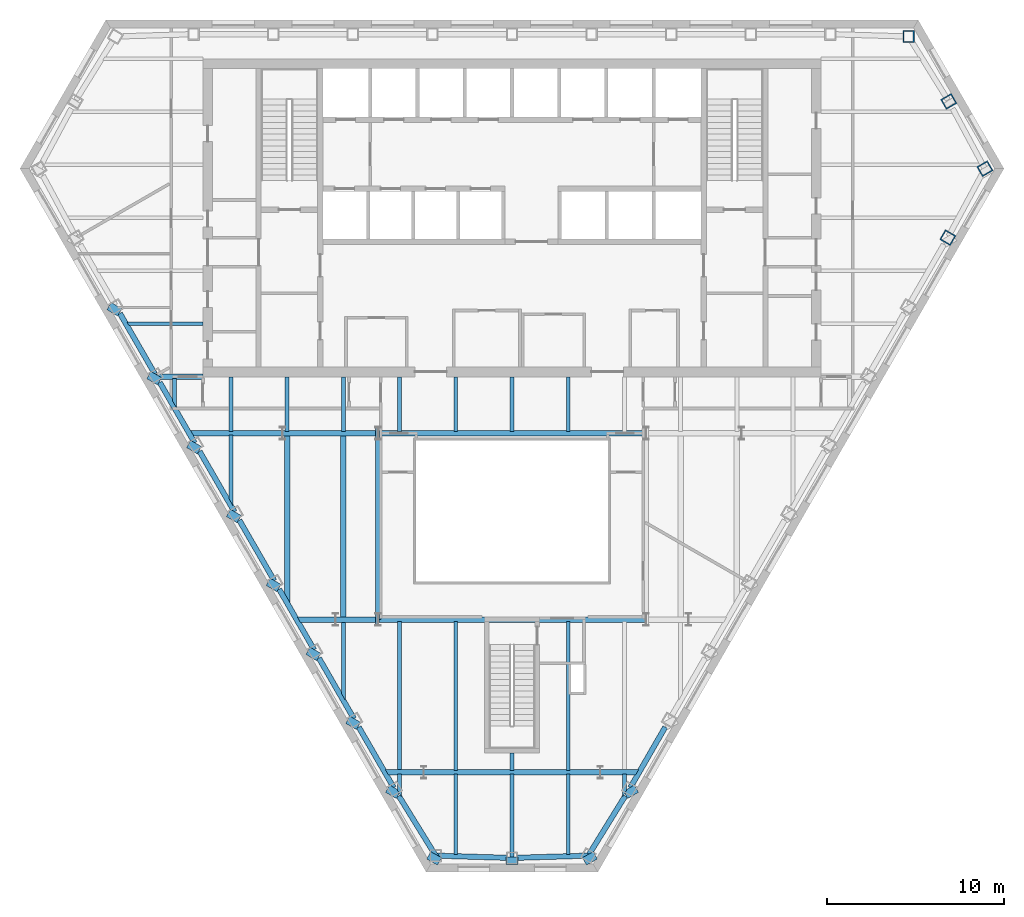
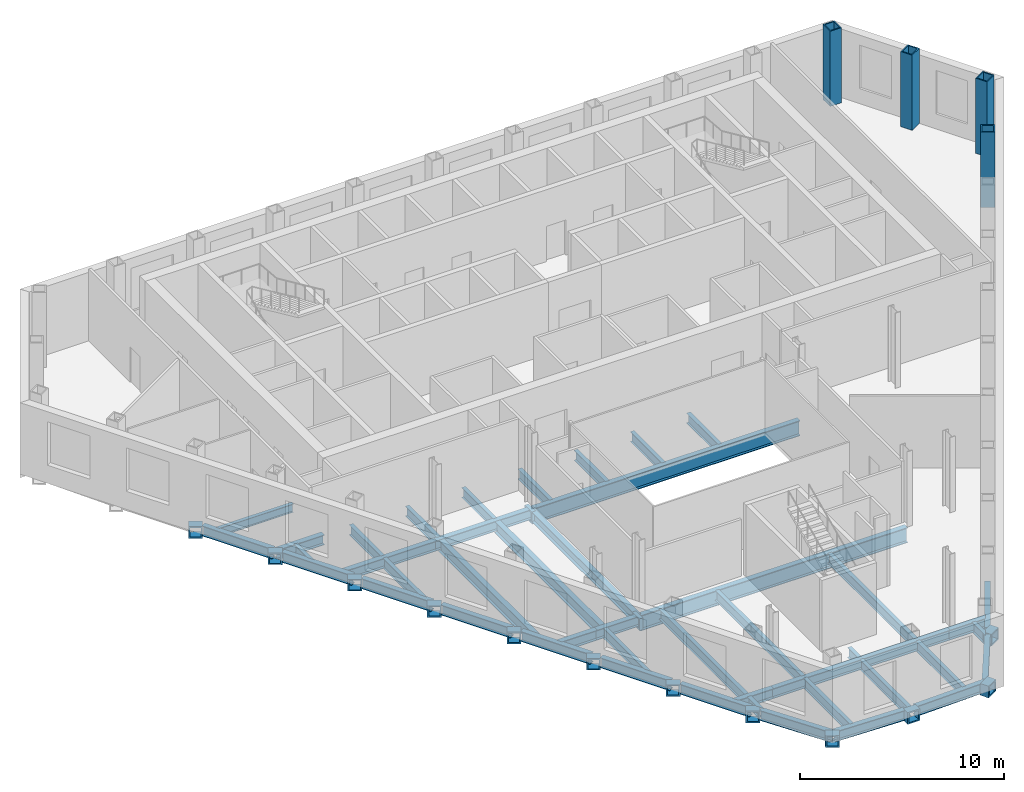
# One storey, part 2 of 12: 59 beams, 4 columns.
"""IFC4 building model written with IfcOpenShell, lengths in metres."""

from ifc_helpers import new_model, si_unit, direction, frame, origin, origin_2d, place, context, subcontext, project, spatial, hollow_rectangle, i_section, extrude, clip, halfspace, material, material_profile, profile_set, type_object, element, save


model = new_model("IFC4")

# Units and contexts
model_context = context("Model", 3, precision=1e-05, world=origin(), true_north=direction((0.0, 1.0)))
body_context = subcontext(model_context, "Body", "Model", "MODEL_VIEW")
ifc_project = project(units=[si_unit("LENGTHUNIT", "METRE"), si_unit("AREAUNIT", "SQUARE_METRE"), si_unit("VOLUMEUNIT", "CUBIC_METRE"), si_unit("PLANEANGLEUNIT", "RADIAN"), si_unit("MASSUNIT", "GRAM", prefix="KILO")], contexts=[model_context])

# Site, building, storey
site_placement = place(None, origin())
site = spatial("IfcSite", under=ifc_project, at=site_placement, CompositionType="ELEMENT")
building_placement = place(site_placement, origin())
building = spatial("IfcBuilding", under=site, at=building_placement, Name="Njiva Tower", CompositionType="ELEMENT")
storey_placement = place(building_placement, frame((0.0, 0.0, 111.3)))
storey = spatial("IfcBuildingStorey", under=building, at=storey_placement, Name="L23", CompositionType="ELEMENT", Elevation=111.3)

# Columns
ifc_material = material(Name="Steel S355 J2", Category="steel")
ifc_material_profile_1 = material_profile(ifc_material, hollow_rectangle(XDim=0.65, YDim=0.7, WallThickness=0.065, at=origin_2d()), Name="BOX 700x650x65")
ifc_profile_set_1 = profile_set([ifc_material_profile_1], Name="Steel S355 J2")
column_type = type_object("IfcColumnType", Name="C7 Perimeter tube column BOX 700x650x65", PredefinedType="COLUMN", material=ifc_profile_set_1)
for number, where, z_axis, x_axis, name in (
    (1, (22.456, 19.267, 0.0), (0.0, 0.0, 1.0), (-1.0, 0.0, 0.0), "Perimeter tube column S08-C01"),
    (2, (24.678, 7.879, 0.0), (0.0, 0.0, 1.0), (0.5, 0.866025403784, 0.0), "Perimeter tube column S08-C34"),
    (3, (26.778, 11.782, 0.0), (0.0, 0.0, 1.0), (-0.5, 0.866025403784, 0.0), "Perimeter tube column S08-C35"),
    (4, (24.732, 15.591, 0.0), (0.0, 0.0, 1.0), (-0.5, 0.866025403784, 0.0), "Perimeter tube column S08-C36"),
):
    element("IfcColumn", number, at=place(storey_placement, frame(where, z_axis=z_axis, x_axis=x_axis)), inside=storey, type_object=column_type, Name=name, PredefinedType="COLUMN", context=body_context, shape_type="SweptSolid", body=[
        extrude(hollow_rectangle(XDim=0.65, YDim=0.7, WallThickness=0.065, at=origin_2d()), origin(), (0.0, 0.0, 1.0), 4.5),
    ])

# Beams
ifc_material_profile_2 = material_profile(ifc_material, i_section(OverallWidth=0.3, OverallDepth=0.69, WebThickness=0.0145, FlangeThickness=0.027, at=origin_2d()), Name="HEA 700")
ifc_profile_set_2 = profile_set([ifc_material_profile_2], Name="Steel S355 J2")
beam_type_1 = type_object("IfcBeamType", Name="B12 Long-span floor joist HEA 700", PredefinedType="JOIST", material=ifc_profile_set_2)
beam_1_placement = place(storey_placement, frame((-9.55, -3.3, -0.545), z_axis=(0.0, -1.0, 0.0), x_axis=(1.0, 0.0, 0.0)))
element("IfcBeam", 5, at=beam_1_placement, inside=storey, type_object=beam_type_1, Name="Long-span floor joist S08-B065", PredefinedType="JOIST", context=body_context, shape_type="SweptSolid", body=[
    extrude(i_section(OverallWidth=0.3, OverallDepth=0.69, WebThickness=0.0145, FlangeThickness=0.027, at=origin_2d()), origin(), (0.0, 0.0, 1.0), 10.35),
])
ifc_material_profile_3 = material_profile(ifc_material, i_section(OverallWidth=0.22, OverallDepth=0.6, WebThickness=0.012, FlangeThickness=0.019, at=origin_2d()), Name="IPE 600")
ifc_profile_set_3 = profile_set([ifc_material_profile_3], Name="Steel S355 J2")
beam_type_2 = type_object("IfcBeamType", Name="B13 Floor joist IPE 600", PredefinedType="JOIST", material=ifc_profile_set_3)
for number, where, z_axis, x_axis, name in (
    (6, (-6.367, -13.851, -0.5), (0.0, -1.0, 0.0), (1.0, 0.0, 0.0), "Floor joist S08-B068"),
    (7, (-3.183, -13.851, -0.5), (0.0, -1.0, 0.0), (1.0, 0.0, 0.0), "Floor joist S08-B071"),
):
    element("IfcBeam", number, at=place(storey_placement, frame(where, z_axis=z_axis, x_axis=x_axis)), inside=storey, type_object=beam_type_2, Name=name, PredefinedType="JOIST", context=body_context, shape_type="SweptSolid", body=[
        extrude(i_section(OverallWidth=0.22, OverallDepth=0.6, WebThickness=0.012, FlangeThickness=0.019, at=origin_2d()), origin(), (0.0, 0.0, 1.0), 8.449),
    ])
beam_2_placement = place(storey_placement, frame((-3.183, -22.5, -0.5), z_axis=(0.0, -1.0, 0.0), x_axis=(1.0, 0.0, 0.0)))
element("IfcBeam", 8, at=beam_2_placement, inside=storey, type_object=beam_type_2, Name="Floor joist S08-B070", PredefinedType="JOIST", context=body_context, shape_type="SweptSolid", body=[
    extrude(i_section(OverallWidth=0.22, OverallDepth=0.6, WebThickness=0.012, FlangeThickness=0.019, at=origin_2d()), origin(), (0.0, 0.0, 1.0), 4.546),
])
beam_3_placement = place(storey_placement, frame((0.0, -22.5, -0.5), z_axis=(0.0, -1.0, 0.0), x_axis=(1.0, 0.0, 0.0)))
element("IfcBeam", 9, at=beam_3_placement, inside=storey, type_object=beam_type_2, Name="Floor joist S08-B073", PredefinedType="JOIST", context=body_context, shape_type="SweptSolid", body=[
    extrude(i_section(OverallWidth=0.22, OverallDepth=0.6, WebThickness=0.012, FlangeThickness=0.019, at=origin_2d()), origin(), (0.0, 0.0, 1.0), 4.746),
])
beam_4_placement = place(storey_placement, frame((3.183, -13.851, -0.5), z_axis=(0.0, -1.0, 0.0), x_axis=(1.0, 0.0, 0.0)))
element("IfcBeam", 10, at=beam_4_placement, inside=storey, type_object=beam_type_2, Name="Floor joist S08-B078", PredefinedType="JOIST", context=body_context, shape_type="SweptSolid", body=[
    extrude(i_section(OverallWidth=0.22, OverallDepth=0.6, WebThickness=0.012, FlangeThickness=0.019, at=origin_2d()), origin(), (0.0, 0.0, 1.0), 8.449),
])
beam_5_placement = place(storey_placement, frame((3.183, -22.5, -0.5), z_axis=(0.0, -1.0, 0.0), x_axis=(1.0, 0.0, 0.0)))
element("IfcBeam", 11, at=beam_5_placement, inside=storey, type_object=beam_type_2, Name="Floor joist S08-B077", PredefinedType="JOIST", context=body_context, shape_type="SweptSolid", body=[
    extrude(i_section(OverallWidth=0.22, OverallDepth=0.6, WebThickness=0.012, FlangeThickness=0.019, at=origin_2d()), origin(), (0.0, 0.0, 1.0), 4.546),
])
ifc_material_profile_4 = material_profile(ifc_material, i_section(OverallWidth=0.22, OverallDepth=0.6, WebThickness=0.012, FlangeThickness=0.019, at=origin_2d()), Name="IPE 600")
ifc_profile_set_4 = profile_set([ifc_material_profile_4], Name="Steel S355 J2")
beam_type_3 = type_object("IfcBeamType", Name="B14 Short-span floor joist IPE 600", PredefinedType="JOIST", material=ifc_profile_set_4)
beam_6_placement = place(storey_placement, frame((-19.1, -0.1, -0.5), z_axis=(0.0, -1.0, 0.0), x_axis=(1.0, 0.0, 0.0)))
element("IfcBeam", 12, at=beam_6_placement, inside=storey, type_object=beam_type_3, Name="Short-span floor joist S08-B059", PredefinedType="JOIST", context=body_context, shape_type="Clipping", body=[
    clip(extrude(i_section(OverallWidth=0.22, OverallDepth=0.6, WebThickness=0.012, FlangeThickness=0.019, at=origin_2d()), origin(), (0.0, 0.0, 1.0), 1.693), halfspace(frame((-0.0433, 0.0, 1.4069), z_axis=(-0.866026552831, 0.0, 0.499998009787), x_axis=(0.0, 1.0, 0.0)), False)),
])
beam_7_placement = place(storey_placement, frame((-15.917, -0.005, -0.5), z_axis=(0.0, -1.0, 0.0), x_axis=(1.0, 0.0, 0.0)))
element("IfcBeam", 13, at=beam_7_placement, inside=storey, type_object=beam_type_3, Name="Short-span floor joist S08-B061", PredefinedType="JOIST", context=body_context, shape_type="SweptSolid", body=[
    extrude(i_section(OverallWidth=0.22, OverallDepth=0.6, WebThickness=0.012, FlangeThickness=0.019, at=origin_2d()), origin(), (0.0, 0.0, 1.0), 3.095),
])
beam_8_placement = place(storey_placement, frame((-15.917, -3.3, -0.5), z_axis=(0.0, -1.0, 0.0), x_axis=(1.0, 0.0, 0.0)))
element("IfcBeam", 14, at=beam_8_placement, inside=storey, type_object=beam_type_3, Name="Short-span floor joist S08-B060", PredefinedType="JOIST", context=body_context, shape_type="Clipping", body=[
    clip(extrude(i_section(OverallWidth=0.22, OverallDepth=0.6, WebThickness=0.012, FlangeThickness=0.019, at=origin_2d()), origin(), (0.0, 0.0, 1.0), 4.007), halfspace(frame((-0.043, 0.0, 3.7206), z_axis=(-0.866026552831, 0.0, 0.499998009787), x_axis=(0.0, 1.0, 0.0)), False)),
])
for number, where, z_axis, x_axis, name in (
    (15, (-12.733, -0.005, -0.5), (0.0, -1.0, 0.0), (1.0, 0.0, 0.0), "Short-span floor joist S08-B063"),
    (16, (-9.55, -0.005, -0.5), (0.0, -1.0, 0.0), (1.0, 0.0, 0.0), "Short-span floor joist S08-B066"),
):
    element("IfcBeam", number, at=place(storey_placement, frame(where, z_axis=z_axis, x_axis=x_axis)), inside=storey, type_object=beam_type_3, Name=name, PredefinedType="JOIST", context=body_context, shape_type="SweptSolid", body=[
        extrude(i_section(OverallWidth=0.22, OverallDepth=0.6, WebThickness=0.012, FlangeThickness=0.019, at=origin_2d()), origin(), (0.0, 0.0, 1.0), 3.095),
    ])
beam_9_placement = place(storey_placement, frame((-9.55, -13.85, -0.5), z_axis=(0.0, -1.0, 0.0), x_axis=(1.0, 0.0, 0.0)))
element("IfcBeam", 17, at=beam_9_placement, inside=storey, type_object=beam_type_3, Name="Short-span floor joist S08-B064", PredefinedType="JOIST", context=body_context, shape_type="Clipping", body=[
    clip(extrude(i_section(OverallWidth=0.22, OverallDepth=0.6, WebThickness=0.012, FlangeThickness=0.019, at=origin_2d()), origin(), (0.0, 0.0, 1.0), 4.484), halfspace(frame((-0.0433, 0.0, 4.198), z_axis=(-0.866026552831, 0.0, 0.499998009787), x_axis=(0.0, 1.0, 0.0)), False)),
])
beam_10_placement = place(storey_placement, frame((-6.367, -0.005, -0.5), z_axis=(0.0, -1.0, 0.0), x_axis=(1.0, 0.0, 0.0)))
element("IfcBeam", 18, at=beam_10_placement, inside=storey, type_object=beam_type_3, Name="Short-span floor joist S08-B069", PredefinedType="JOIST", context=body_context, shape_type="SweptSolid", body=[
    extrude(i_section(OverallWidth=0.22, OverallDepth=0.6, WebThickness=0.012, FlangeThickness=0.019, at=origin_2d()), origin(), (0.0, 0.0, 1.0), 3.094),
])
beam_11_placement = place(storey_placement, frame((-6.367, -22.5, -0.5), z_axis=(0.0, -1.0, 0.0), x_axis=(1.0, 0.0, 0.0)))
element("IfcBeam", 19, at=beam_11_placement, inside=storey, type_object=beam_type_3, Name="Short-span floor joist S08-B067", PredefinedType="JOIST", context=body_context, shape_type="Clipping", body=[
    clip(extrude(i_section(OverallWidth=0.22, OverallDepth=0.6, WebThickness=0.012, FlangeThickness=0.019, at=origin_2d()), origin(), (0.0, 0.0, 1.0), 1.312), halfspace(frame((-0.0422, 0.0, 1.0451), z_axis=(-0.850615955969, 0.0, 0.525787500281), x_axis=(0.0, 1.0, 0.0)), False)),
])
for number, where, z_axis, x_axis, name in (
    (20, (-3.183, -0.005, -0.5), (0.0, -1.0, 0.0), (1.0, 0.0, 0.0), "Short-span floor joist S08-B072"),
    (21, (0.0, -0.005, -0.5), (0.0, -1.0, 0.0), (1.0, 0.0, 0.0), "Short-span floor joist S08-B076"),
):
    element("IfcBeam", number, at=place(storey_placement, frame(where, z_axis=z_axis, x_axis=x_axis)), inside=storey, type_object=beam_type_3, Name=name, PredefinedType="JOIST", context=body_context, shape_type="SweptSolid", body=[
        extrude(i_section(OverallWidth=0.22, OverallDepth=0.6, WebThickness=0.012, FlangeThickness=0.019, at=origin_2d()), origin(), (0.0, 0.0, 1.0), 3.094),
    ])
beam_12_placement = place(storey_placement, frame((0.0, -21.3, -0.5), z_axis=(0.0, -1.0, 0.0), x_axis=(1.0, 0.0, 0.0)))
element("IfcBeam", 22, at=beam_12_placement, inside=storey, type_object=beam_type_3, Name="Short-span floor joist S08-B075", PredefinedType="JOIST", context=body_context, shape_type="SweptSolid", body=[
    extrude(i_section(OverallWidth=0.22, OverallDepth=0.6, WebThickness=0.012, FlangeThickness=0.019, at=origin_2d()), origin(), (0.0, 0.0, 1.0), 1.0),
])
beam_13_placement = place(storey_placement, frame((3.183, -0.005, -0.5), z_axis=(0.0, -1.0, 0.0), x_axis=(1.0, 0.0, 0.0)))
element("IfcBeam", 23, at=beam_13_placement, inside=storey, type_object=beam_type_3, Name="Short-span floor joist S08-B079", PredefinedType="JOIST", context=body_context, shape_type="SweptSolid", body=[
    extrude(i_section(OverallWidth=0.22, OverallDepth=0.6, WebThickness=0.012, FlangeThickness=0.019, at=origin_2d()), origin(), (0.0, 0.0, 1.0), 3.094),
])
beam_14_placement = place(storey_placement, frame((6.367, -22.5, -0.5), z_axis=(0.0, -1.0, 0.0), x_axis=(1.0, 0.0, 0.0)))
element("IfcBeam", 24, at=beam_14_placement, inside=storey, type_object=beam_type_3, Name="Short-span floor joist S08-B080", PredefinedType="JOIST", context=body_context, shape_type="Clipping", body=[
    clip(extrude(i_section(OverallWidth=0.22, OverallDepth=0.6, WebThickness=0.012, FlangeThickness=0.019, at=origin_2d()), origin(), (0.0, 0.0, 1.0), 1.312), halfspace(frame((0.0422, 0.0, 1.0451), z_axis=(0.850615955969, 0.0, 0.525787500281), x_axis=(0.0, 1.0, 0.0)), False)),
])
ifc_material_profile_5 = material_profile(ifc_material, hollow_rectangle(XDim=0.7, YDim=0.7, WallThickness=0.08, at=origin_2d()), Name="BOX 700x700x80")
ifc_profile_set_5 = profile_set([ifc_material_profile_5], Name="Steel S355 J2")
beam_type_4 = type_object("IfcBeamType", Name="B19 Column jog beam BOX 700x700x80", PredefinedType="BEAM", material=ifc_profile_set_5)
beam_15_placement = place(storey_placement, frame((-22.634, 3.62, -0.55), z_axis=(0.504527147117, 0.863395829167, 0.0), x_axis=(-0.863395829167, 0.504527147117, 0.0)))
element("IfcBeam", 25, at=beam_15_placement, inside=storey, type_object=beam_type_4, Name="Column jog beam S08-B033", PredefinedType="BEAM", context=body_context, shape_type="SweptSolid", body=[
    extrude(hollow_rectangle(XDim=0.7, YDim=0.7, WallThickness=0.08, at=origin_2d()), origin(), (0.0, 0.0, 1.0), 0.4737),
])
beam_16_placement = place(storey_placement, frame((-20.38, -0.284, -0.55), z_axis=(0.503608973261, 0.863931711451, 0.0), x_axis=(-0.863931711451, 0.503608973261, 0.0)))
element("IfcBeam", 26, at=beam_16_placement, inside=storey, type_object=beam_type_4, Name="Column jog beam S08-B034", PredefinedType="BEAM", context=body_context, shape_type="SweptSolid", body=[
    extrude(hollow_rectangle(XDim=0.7, YDim=0.7, WallThickness=0.08, at=origin_2d()), origin(), (0.0, 0.0, 1.0), 0.4746),
])
beam_17_placement = place(storey_placement, frame((-18.126, -4.188, -0.55), z_axis=(0.501119266826, 0.865378229687, 0.0), x_axis=(-0.865378229687, 0.501119266826, 0.0)))
element("IfcBeam", 27, at=beam_17_placement, inside=storey, type_object=beam_type_4, Name="Column jog beam S08-B035", PredefinedType="BEAM", context=body_context, shape_type="SweptSolid", body=[
    extrude(hollow_rectangle(XDim=0.7, YDim=0.7, WallThickness=0.08, at=origin_2d()), origin(), (0.0, 0.0, 1.0), 0.4749),
])
beam_18_placement = place(storey_placement, frame((-15.872, -8.091, -0.55), z_axis=(0.499539972301, 0.866290838041, 0.0), x_axis=(-0.866290838041, 0.499539972301, 0.0)))
element("IfcBeam", 28, at=beam_18_placement, inside=storey, type_object=beam_type_4, Name="Column jog beam S08-B036", PredefinedType="BEAM", context=body_context, shape_type="SweptSolid", body=[
    extrude(hollow_rectangle(XDim=0.7, YDim=0.7, WallThickness=0.08, at=origin_2d()), origin(), (0.0, 0.0, 1.0), 0.4744),
])
beam_19_placement = place(storey_placement, frame((-13.618, -11.995, -0.55), z_axis=(0.498629231199, 0.86681537238, 0.0), x_axis=(-0.86681537238, 0.498629231199, 0.0)))
element("IfcBeam", 29, at=beam_19_placement, inside=storey, type_object=beam_type_4, Name="Column jog beam S08-B037", PredefinedType="BEAM", context=body_context, shape_type="SweptSolid", body=[
    extrude(hollow_rectangle(XDim=0.7, YDim=0.7, WallThickness=0.08, at=origin_2d()), origin(), (0.0, 0.0, 1.0), 0.4753),
])
beam_20_placement = place(storey_placement, frame((-11.365, -15.899, -0.55), z_axis=(0.497721258129, 0.867337044756, 0.0), x_axis=(-0.867337044756, 0.497721258129, 0.0)))
element("IfcBeam", 30, at=beam_20_placement, inside=storey, type_object=beam_type_4, Name="Column jog beam S08-B038", PredefinedType="BEAM", context=body_context, shape_type="SweptSolid", body=[
    extrude(hollow_rectangle(XDim=0.7, YDim=0.7, WallThickness=0.08, at=origin_2d()), origin(), (0.0, 0.0, 1.0), 0.4762),
])
beam_21_placement = place(storey_placement, frame((-9.111, -19.803, -0.55), z_axis=(0.495234720822, 0.868759213645, 0.0), x_axis=(-0.868759213645, 0.495234720822, 0.0)))
element("IfcBeam", 31, at=beam_21_placement, inside=storey, type_object=beam_type_4, Name="Column jog beam S08-B039", PredefinedType="BEAM", context=body_context, shape_type="SweptSolid", body=[
    extrude(hollow_rectangle(XDim=0.7, YDim=0.7, WallThickness=0.08, at=origin_2d()), origin(), (0.0, 0.0, 1.0), 0.4765),
])
beam_22_placement = place(storey_placement, frame((-6.857, -23.706, -0.55), z_axis=(0.494333260273, 0.869272470396, 0.0), x_axis=(-0.869272470396, 0.494333260273, 0.0)))
element("IfcBeam", 32, at=beam_22_placement, inside=storey, type_object=beam_type_4, Name="Column jog beam S08-B042", PredefinedType="BEAM", context=body_context, shape_type="SweptSolid", body=[
    extrude(hollow_rectangle(XDim=0.7, YDim=0.7, WallThickness=0.08, at=origin_2d()), origin(), (0.0, 0.0, 1.0), 0.4774),
])
beam_23_placement = place(storey_placement, frame((-4.525, -27.477, -0.55), z_axis=(0.488667231334, 0.872470249935, 0.0), x_axis=(-0.872470249935, 0.488667231334, 0.0)))
element("IfcBeam", 33, at=beam_23_placement, inside=storey, type_object=beam_type_4, Name="Column jog beam S08-B043", PredefinedType="BEAM", context=body_context, shape_type="SweptSolid", body=[
    extrude(hollow_rectangle(XDim=0.7, YDim=0.7, WallThickness=0.08, at=origin_2d()), origin(), (0.0, 0.0, 1.0), 0.4768),
])
beam_24_placement = place(storey_placement, frame((0.0, -27.618, -0.55), z_axis=(0.0, 1.0, 0.0), x_axis=(-1.0, 0.0, 0.0)))
element("IfcBeam", 34, at=beam_24_placement, inside=storey, type_object=beam_type_4, Name="Column jog beam S08-B044", PredefinedType="BEAM", context=body_context, shape_type="SweptSolid", body=[
    extrude(hollow_rectangle(XDim=0.7, YDim=0.7, WallThickness=0.08, at=origin_2d()), origin(), (0.0, 0.0, 1.0), 0.432),
])
beam_25_placement = place(storey_placement, frame((4.525, -27.477, -0.55), z_axis=(-0.488667231334, 0.872470249935, 0.0), x_axis=(-0.872470249935, -0.488667231334, 0.0)))
element("IfcBeam", 35, at=beam_25_placement, inside=storey, type_object=beam_type_4, Name="Column jog beam S08-B045", PredefinedType="BEAM", context=body_context, shape_type="SweptSolid", body=[
    extrude(hollow_rectangle(XDim=0.7, YDim=0.7, WallThickness=0.08, at=origin_2d()), origin(), (0.0, 0.0, 1.0), 0.4768),
])
beam_26_placement = place(storey_placement, frame((6.857, -23.706, -0.55), z_axis=(-0.494333260273, 0.869272470396, 0.0), x_axis=(-0.869272470396, -0.494333260273, 0.0)))
element("IfcBeam", 36, at=beam_26_placement, inside=storey, type_object=beam_type_4, Name="Column jog beam S08-B046", PredefinedType="BEAM", context=body_context, shape_type="SweptSolid", body=[
    extrude(hollow_rectangle(XDim=0.7, YDim=0.7, WallThickness=0.08, at=origin_2d()), origin(), (0.0, 0.0, 1.0), 0.4774),
])
for number, where, z_axis, x_axis, name in (
    (37, (-7.73, -3.2, -0.55), (1.0, 0.0, 0.0), (0.0, 1.0, 0.0), "Column jog beam S08-B041"),
    (38, (-7.73, -13.75, -0.55), (1.0, 0.0, 0.0), (0.0, 1.0, 0.0), "Column jog beam S08-B040"),
):
    element("IfcBeam", number, at=place(storey_placement, frame(where, z_axis=z_axis, x_axis=x_axis)), inside=storey, type_object=beam_type_4, Name=name, PredefinedType="BEAM", context=body_context, shape_type="SweptSolid", body=[
        extrude(hollow_rectangle(XDim=0.7, YDim=0.7, WallThickness=0.08, at=origin_2d()), origin(), (0.0, 0.0, 1.0), 0.21),
    ])
ifc_material_profile_6 = material_profile(ifc_material, i_section(OverallWidth=0.3, OverallDepth=0.6, WebThickness=0.0155, FlangeThickness=0.03, at=origin_2d()), Name="HEB 600")
ifc_profile_set_6 = profile_set([ifc_material_profile_6], Name="Steel S355 J2")
beam_type_5 = type_object("IfcBeamType", Name="B20 Floor girder HEB 600", PredefinedType="BEAM", material=ifc_profile_set_6)
beam_27_placement = place(storey_placement, frame((-18.273, -3.2, -0.5), z_axis=(1.0, 0.0, 0.0), x_axis=(0.0, 1.0, 0.0)))
element("IfcBeam", 39, at=beam_27_placement, inside=storey, type_object=beam_type_5, Name="Floor girder S08-B017", PredefinedType="BEAM", context=body_context, shape_type="Clipping", body=[
    clip(extrude(i_section(OverallWidth=0.3, OverallDepth=0.6, WebThickness=0.0155, FlangeThickness=0.03, at=origin_2d()), origin(), (0.0, 0.0, 1.0), 5.273), halfspace(frame((-0.025, 0.0, 0.1217), z_axis=(-0.499998009787, 0.0, -0.866026552831), x_axis=(0.0, -1.0, 0.0)), False)),
])
beam_28_placement = place(storey_placement, frame((-13.0, -3.2, -0.5), z_axis=(1.0, 0.0, 0.0), x_axis=(0.0, 1.0, 0.0)))
element("IfcBeam", 40, at=beam_28_placement, inside=storey, type_object=beam_type_5, Name="Floor girder S08-B018", PredefinedType="BEAM", context=body_context, shape_type="SweptSolid", body=[
    extrude(i_section(OverallWidth=0.3, OverallDepth=0.6, WebThickness=0.0155, FlangeThickness=0.03, at=origin_2d()), origin(), (0.0, 0.0, 1.0), 5.42),
])
ifc_material_profile_7 = material_profile(ifc_material, i_section(OverallWidth=0.3, OverallDepth=0.6, WebThickness=0.0155, FlangeThickness=0.03, at=origin_2d()), Name="HEB 600")
ifc_profile_set_7 = profile_set([ifc_material_profile_7], Name="Steel S355 J2")
beam_type_6 = type_object("IfcBeamType", Name="B21 Short-span floor girder HEB 600", PredefinedType="BEAM", material=ifc_profile_set_7)
beam_29_placement = place(storey_placement, frame((-12.182, -13.75, -0.5), z_axis=(1.0, 0.0, 0.0), x_axis=(0.0, 1.0, 0.0)))
element("IfcBeam", 41, at=beam_29_placement, inside=storey, type_object=beam_type_6, Name="Short-span floor girder S08-B019", PredefinedType="BEAM", context=body_context, shape_type="Clipping", body=[
    clip(extrude(i_section(OverallWidth=0.3, OverallDepth=0.6, WebThickness=0.0155, FlangeThickness=0.03, at=origin_2d()), origin(), (0.0, 0.0, 1.0), 2.182), halfspace(frame((-0.025, 0.0, 0.1217), z_axis=(-0.499998009787, 0.0, -0.866026552831), x_axis=(0.0, -1.0, 0.0)), False)),
])
beam_30_placement = place(storey_placement, frame((-10.0, -13.75, -0.5), z_axis=(1.0, 0.0, 0.0), x_axis=(0.0, 1.0, 0.0)))
element("IfcBeam", 42, at=beam_30_placement, inside=storey, type_object=beam_type_6, Name="Short-span floor girder S08-B020", PredefinedType="BEAM", context=body_context, shape_type="SweptSolid", body=[
    extrude(i_section(OverallWidth=0.3, OverallDepth=0.6, WebThickness=0.0155, FlangeThickness=0.03, at=origin_2d()), origin(), (0.0, 0.0, 1.0), 2.42),
])
beam_31_placement = place(storey_placement, frame((-7.188, -22.4, -0.5), z_axis=(1.0, 0.0, 0.0), x_axis=(0.0, 1.0, 0.0)))
element("IfcBeam", 43, at=beam_31_placement, inside=storey, type_object=beam_type_6, Name="Short-span floor girder S08-B021", PredefinedType="BEAM", context=body_context, shape_type="Clipping", body=[
    clip(extrude(i_section(OverallWidth=0.3, OverallDepth=0.6, WebThickness=0.0155, FlangeThickness=0.03, at=origin_2d()), origin(), (0.0, 0.0, 1.0), 2.188), halfspace(frame((-0.025, 0.0, 0.1218), z_axis=(-0.499998009787, 0.0, -0.866026552831), x_axis=(0.0, -1.0, 0.0)), False)),
])
beam_32_placement = place(storey_placement, frame((5.0, -22.4, -0.5), z_axis=(1.0, 0.0, 0.0), x_axis=(0.0, 1.0, 0.0)))
element("IfcBeam", 44, at=beam_32_placement, inside=storey, type_object=beam_type_6, Name="Short-span floor girder S08-B023", PredefinedType="BEAM", context=body_context, shape_type="Clipping", body=[
    clip(extrude(i_section(OverallWidth=0.3, OverallDepth=0.6, WebThickness=0.0155, FlangeThickness=0.03, at=origin_2d()), origin(), (0.0, 0.0, 1.0), 2.188), halfspace(frame((-0.025, 0.0, 2.0662), z_axis=(-0.499998009787, 0.0, 0.866026552831), x_axis=(0.0, 1.0, 0.0)), False)),
])
beam_33_placement = place(storey_placement, frame((-20.245, 0.0, -0.5), z_axis=(1.0, 0.0, 0.0), x_axis=(0.0, 1.0, 0.0)))
element("IfcBeam", 45, at=beam_33_placement, inside=storey, type_object=beam_type_6, Name="Short-span floor girder S08-B015", PredefinedType="BEAM", context=body_context, shape_type="Clipping", body=[
    clip(extrude(i_section(OverallWidth=0.3, OverallDepth=0.6, WebThickness=0.0155, FlangeThickness=0.03, at=origin_2d()), origin(), (0.0, 0.0, 1.0), 2.745), halfspace(frame((-0.025, 0.0, 0.1219), z_axis=(-0.499998009787, 0.0, -0.866026552831), x_axis=(0.0, -1.0, 0.0)), False)),
])
ifc_material_profile_8 = material_profile(ifc_material, i_section(OverallWidth=0.3, OverallDepth=0.6, WebThickness=0.0155, FlangeThickness=0.03, at=origin_2d()), Name="HEB 600")
ifc_profile_set_8 = profile_set([ifc_material_profile_8], Name="Steel S355 J2")
beam_type_7 = type_object("IfcBeamType", Name="B22 Long-span floor girder HEB 600", PredefinedType="BEAM", material=ifc_profile_set_8)
beam_34_placement = place(storey_placement, frame((-5.0, -22.4, -0.5), z_axis=(1.0, 0.0, 0.0), x_axis=(0.0, 1.0, 0.0)))
element("IfcBeam", 46, at=beam_34_placement, inside=storey, type_object=beam_type_7, Name="Long-span floor girder S08-B022", PredefinedType="BEAM", context=body_context, shape_type="SweptSolid", body=[
    extrude(i_section(OverallWidth=0.3, OverallDepth=0.6, WebThickness=0.0155, FlangeThickness=0.03, at=origin_2d()), origin(), (0.0, 0.0, 1.0), 10.0),
])
ifc_material_profile_9 = material_profile(ifc_material, i_section(OverallWidth=0.3, OverallDepth=0.6, WebThickness=0.0155, FlangeThickness=0.03, at=origin_2d()), Name="HEB 600")
ifc_profile_set_9 = profile_set([ifc_material_profile_9], Name="Steel S355 J2")
beam_type_8 = type_object("IfcBeamType", Name="B23 Long-span atrium trimmer beam HEB 600", PredefinedType="BEAM", material=ifc_profile_set_9)
beam_35_placement = place(storey_placement, frame((-7.58, -3.2, -0.5), z_axis=(0.0, -1.0, 0.0), x_axis=(1.0, 0.0, 0.0)))
element("IfcBeam", 47, at=beam_35_placement, inside=storey, type_object=beam_type_8, Name="Long-span atrium trimmer beam S08-B091", PredefinedType="BEAM", context=body_context, shape_type="SweptSolid", body=[
    extrude(i_section(OverallWidth=0.3, OverallDepth=0.6, WebThickness=0.0155, FlangeThickness=0.03, at=origin_2d()), origin(), (0.0, 0.0, 1.0), 10.55),
])
ifc_material_profile_10 = material_profile(ifc_material, i_section(OverallWidth=0.2, OverallDepth=0.5, WebThickness=0.0102, FlangeThickness=0.016, at=origin_2d()), Name="IPE 500")
ifc_profile_set_10 = profile_set([ifc_material_profile_10], Name="Steel S355 J2")
beam_type_9 = type_object("IfcBeamType", Name="B25 Short-span floor beam to the core IPE 500", PredefinedType="BEAM", material=ifc_profile_set_10)
beam_36_placement = place(storey_placement, frame((-21.823, 3.0, -0.45), z_axis=(1.0, 0.0, 0.0), x_axis=(0.0, 1.0, 0.0)))
element("IfcBeam", 48, at=beam_36_placement, inside=storey, type_object=beam_type_9, Name="Short-span floor beam to the core S08-B007", PredefinedType="BEAM", context=body_context, shape_type="Clipping", body=[
    clip(extrude(i_section(OverallWidth=0.2, OverallDepth=0.5, WebThickness=0.0102, FlangeThickness=0.016, at=origin_2d()), origin(), (0.0, 0.0, 1.0), 4.323), halfspace(frame((-0.025, 0.0, 0.0921), z_axis=(-0.499998009787, 0.0, -0.866026552831), x_axis=(0.0, -1.0, 0.0)), False)),
])
ifc_material_profile_11 = material_profile(ifc_material, i_section(OverallWidth=0.3, OverallDepth=0.69, WebThickness=0.0145, FlangeThickness=0.027, at=origin_2d()), Name="HEA 700")
ifc_profile_set_11 = profile_set([ifc_material_profile_11], Name="Steel S355 J2")
beam_type_10 = type_object("IfcBeamType", Name="B26 Floor joist HEA 700", PredefinedType="JOIST", material=ifc_profile_set_11)
beam_37_placement = place(storey_placement, frame((-12.733, -3.3, -0.545), z_axis=(0.0, -1.0, 0.0), x_axis=(1.0, 0.0, 0.0)))
element("IfcBeam", 49, at=beam_37_placement, inside=storey, type_object=beam_type_10, Name="Floor joist S08-B062", PredefinedType="JOIST", context=body_context, shape_type="Clipping", body=[
    clip(extrude(i_section(OverallWidth=0.3, OverallDepth=0.69, WebThickness=0.0145, FlangeThickness=0.027, at=origin_2d()), origin(), (0.0, 0.0, 1.0), 9.52), halfspace(frame((-0.0436, 0.0, 9.2343), z_axis=(-0.866026552831, 0.0, 0.499998009787), x_axis=(0.0, 1.0, 0.0)), False)),
])
ifc_material_profile_12 = material_profile(ifc_material, i_section(OverallWidth=0.3, OverallDepth=0.6, WebThickness=0.0155, FlangeThickness=0.03, at=origin_2d()), Name="HEB 600")
ifc_profile_set_12 = profile_set([ifc_material_profile_12], Name="Steel S355 J2")
beam_type_11 = type_object("IfcBeamType", Name="B3 Short-span spandrel beam HEB 600", PredefinedType="SPANDREL", material=ifc_profile_set_12)
for number, where, z_axis, x_axis, name in (
    (50, (-22.2, 3.588, -0.5), (0.499970304126, -0.866042548026, 0.0), (0.866042548026, 0.499970304126, 0.0), "Short-span spandrel beam S08-B106"),
    (51, (-19.946, -0.316, -0.5), (0.499970304126, -0.866042548026, 0.0), (0.866042548026, 0.499970304126, 0.0), "Short-span spandrel beam S08-B110"),
):
    element("IfcBeam", number, at=place(storey_placement, frame(where, z_axis=z_axis, x_axis=x_axis)), inside=storey, type_object=beam_type_11, Name=name, PredefinedType="SPANDREL", context=body_context, shape_type="SweptSolid", body=[
        extrude(i_section(OverallWidth=0.3, OverallDepth=0.6, WebThickness=0.0155, FlangeThickness=0.03, at=origin_2d()), origin(), (0.0, 0.0, 1.0), 3.9582),
    ])
beam_38_placement = place(storey_placement, frame((-17.692, -4.22, -0.5), z_axis=(0.499890179513, -0.866088799389, 0.0), x_axis=(0.866088799389, 0.499890179513, 0.0)))
element("IfcBeam", 52, at=beam_38_placement, inside=storey, type_object=beam_type_11, Name="Short-span spandrel beam S08-B114", PredefinedType="SPANDREL", context=body_context, shape_type="SweptSolid", body=[
    extrude(i_section(OverallWidth=0.3, OverallDepth=0.6, WebThickness=0.0155, FlangeThickness=0.03, at=origin_2d()), origin(), (0.0, 0.0, 1.0), 3.9569),
])
for number, where, z_axis, x_axis, name in (
    (53, (-15.439, -8.124, -0.5), (0.500079715141, -0.865979375335, 0.0), (0.865979375335, 0.500079715141, 0.0), "Short-span spandrel beam S08-B116"),
    (54, (-13.185, -12.028, -0.5), (0.500079715141, -0.865979375335, 0.0), (0.865979375335, 0.500079715141, 0.0), "Short-span spandrel beam S08-B119"),
):
    element("IfcBeam", number, at=place(storey_placement, frame(where, z_axis=z_axis, x_axis=x_axis)), inside=storey, type_object=beam_type_11, Name=name, PredefinedType="SPANDREL", context=body_context, shape_type="SweptSolid", body=[
        extrude(i_section(OverallWidth=0.3, OverallDepth=0.6, WebThickness=0.0155, FlangeThickness=0.03, at=origin_2d()), origin(), (0.0, 0.0, 1.0), 3.9574),
    ])
beam_39_placement = place(storey_placement, frame((-10.931, -15.931, -0.5), z_axis=(0.499970304126, -0.866042548026, 0.0), x_axis=(0.866042548026, 0.499970304126, 0.0)))
element("IfcBeam", 55, at=beam_39_placement, inside=storey, type_object=beam_type_11, Name="Short-span spandrel beam S08-B121", PredefinedType="SPANDREL", context=body_context, shape_type="SweptSolid", body=[
    extrude(i_section(OverallWidth=0.3, OverallDepth=0.6, WebThickness=0.0155, FlangeThickness=0.03, at=origin_2d()), origin(), (0.0, 0.0, 1.0), 3.9582),
])
beam_40_placement = place(storey_placement, frame((-8.677, -19.835, -0.5), z_axis=(0.500079715141, -0.865979375335, 0.0), x_axis=(0.865979375335, 0.500079715141, 0.0)))
element("IfcBeam", 56, at=beam_40_placement, inside=storey, type_object=beam_type_11, Name="Short-span spandrel beam S08-B124", PredefinedType="SPANDREL", context=body_context, shape_type="SweptSolid", body=[
    extrude(i_section(OverallWidth=0.3, OverallDepth=0.6, WebThickness=0.0155, FlangeThickness=0.03, at=origin_2d()), origin(), (0.0, 0.0, 1.0), 3.9574),
])
beam_41_placement = place(storey_placement, frame((-6.411, -23.732, -0.5), z_axis=(0.525733048919, -0.850649611341, 0.0), x_axis=(0.850649611341, 0.525733048919, 0.0)))
element("IfcBeam", 57, at=beam_41_placement, inside=storey, type_object=beam_type_11, Name="Short-span spandrel beam S08-B126", PredefinedType="SPANDREL", context=body_context, shape_type="Clipping", body=[
    clip(extrude(i_section(OverallWidth=0.3, OverallDepth=0.6, WebThickness=0.0155, FlangeThickness=0.03, at=origin_2d()), origin(), (0.0, 0.0, 1.0), 4.1017), halfspace(frame((-0.0263, 0.0, 3.9725), z_axis=(-0.525733048919, 0.0, 0.850649611341), x_axis=(0.0, 1.0, 0.0)), False)),
])
beam_42_placement = place(storey_placement, frame((-4.217, -27.116, -0.5), z_axis=(0.999521430983, -0.03093394586, 0.0), x_axis=(0.03093394586, 0.999521430983, 0.0)))
element("IfcBeam", 58, at=beam_42_placement, inside=storey, type_object=beam_type_11, Name="Short-span spandrel beam S08-B128", PredefinedType="SPANDREL", context=body_context, shape_type="SweptSolid", body=[
    extrude(i_section(OverallWidth=0.3, OverallDepth=0.6, WebThickness=0.0155, FlangeThickness=0.03, at=origin_2d()), origin(), (0.0, 0.0, 1.0), 3.9439),
])
beam_43_placement = place(storey_placement, frame((0.275, -27.238, -0.5), z_axis=(0.999525212877, 0.030811504713, 0.0), x_axis=(-0.030811504713, 0.999525212877, 0.0)))
element("IfcBeam", 59, at=beam_43_placement, inside=storey, type_object=beam_type_11, Name="Short-span spandrel beam S08-B132", PredefinedType="SPANDREL", context=body_context, shape_type="Clipping", body=[
    clip(extrude(i_section(OverallWidth=0.3, OverallDepth=0.6, WebThickness=0.0155, FlangeThickness=0.03, at=origin_2d()), origin(), (0.0, 0.0, 1.0), 4.1699), halfspace(frame((-0.0262, 0.0, 4.0404), z_axis=(-0.526444198384, 0.0, 0.850209683541), x_axis=(0.0, 1.0, 0.0)), False)),
])
beam_44_placement = place(storey_placement, frame((4.372, -27.031, -0.5), z_axis=(0.525750865424, 0.850638599821, 0.0), x_axis=(-0.850638599821, 0.525750865424, 0.0)))
element("IfcBeam", 60, at=beam_44_placement, inside=storey, type_object=beam_type_11, Name="Short-span spandrel beam S08-B133", PredefinedType="SPANDREL", context=body_context, shape_type="SweptSolid", body=[
    extrude(i_section(OverallWidth=0.3, OverallDepth=0.6, WebThickness=0.0155, FlangeThickness=0.03, at=origin_2d()), origin(), (0.0, 0.0, 1.0), 3.8783),
])
beam_45_placement = place(storey_placement, frame((6.698, -23.262, -0.5), z_axis=(0.500079715141, 0.865979375335, 0.0), x_axis=(-0.865979375335, 0.500079715141, 0.0)))
element("IfcBeam", 61, at=beam_45_placement, inside=storey, type_object=beam_type_11, Name="Short-span spandrel beam S08-B136", PredefinedType="SPANDREL", context=body_context, shape_type="SweptSolid", body=[
    extrude(i_section(OverallWidth=0.3, OverallDepth=0.6, WebThickness=0.0155, FlangeThickness=0.03, at=origin_2d()), origin(), (0.0, 0.0, 1.0), 3.9574),
])
ifc_material_profile_13 = material_profile(ifc_material, i_section(OverallWidth=0.302, OverallDepth=0.91, WebThickness=0.021, FlangeThickness=0.04, at=origin_2d()), Name="HEM 900")
ifc_profile_set_13 = profile_set([ifc_material_profile_13], Name="Steel S355 J2")
beam_type_12 = type_object("IfcBeamType", Name="B8 Long-span atrium trimmer beam HEM 900", PredefinedType="BEAM", material=ifc_profile_set_13)
for number, where, z_axis, x_axis, name in (
    (62, (-7.58, -13.75, -0.655), (1.0, 0.0, 0.0), (0.0, 1.0, 0.0), "Long-span atrium trimmer beam S08-B092"),
    (63, (7.58, -3.2, -0.655), (-1.0, 0.0, 0.0), (0.0, -1.0, 0.0), "Long-span atrium trimmer beam S08-B094"),
):
    element("IfcBeam", number, at=place(storey_placement, frame(where, z_axis=z_axis, x_axis=x_axis)), inside=storey, type_object=beam_type_12, Name=name, PredefinedType="BEAM", context=body_context, shape_type="SweptSolid", body=[
        extrude(i_section(OverallWidth=0.302, OverallDepth=0.91, WebThickness=0.021, FlangeThickness=0.04, at=origin_2d()), origin(), (0.0, 0.0, 1.0), 15.16),
    ])

save(model, "model.ifc")
